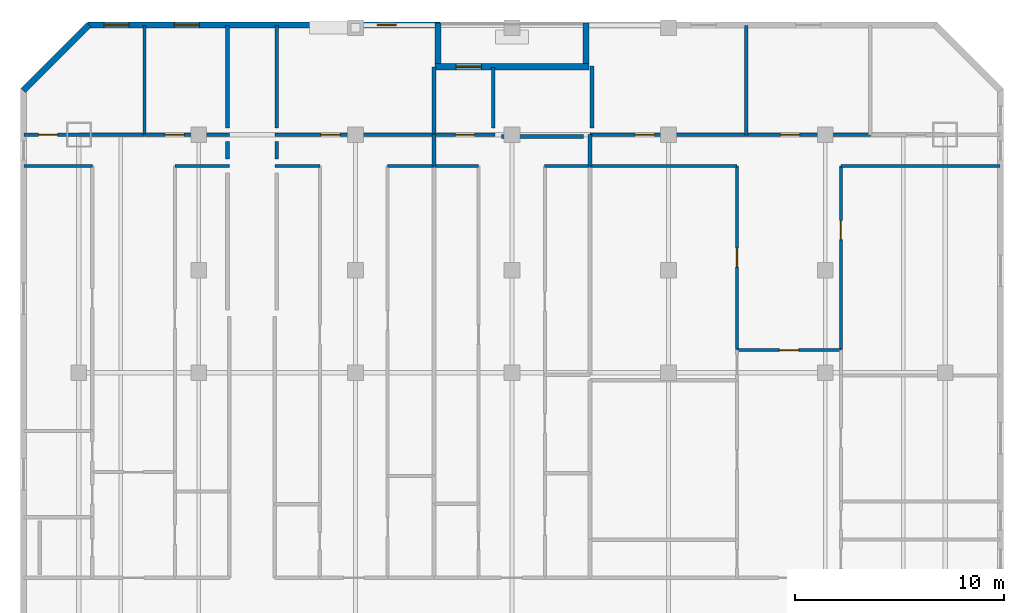
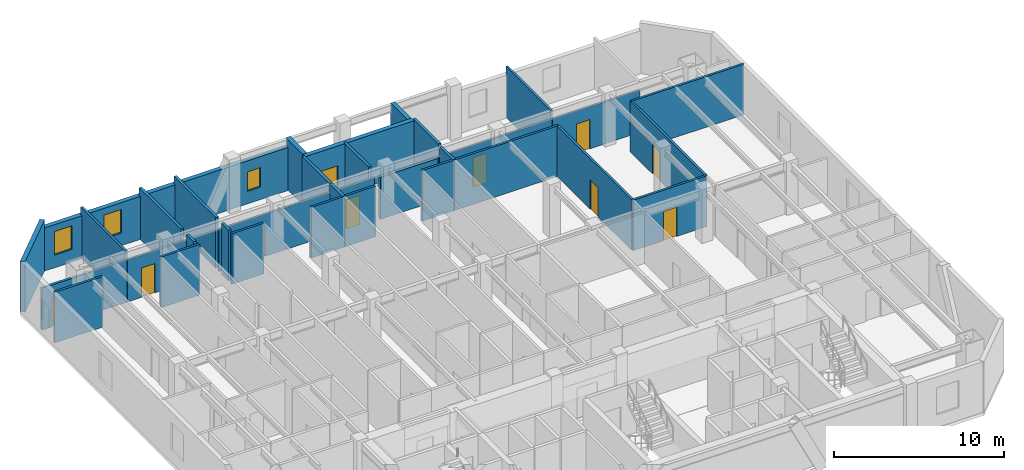
# One storey, part 6 of 8: 34 walls, 10 doors, 3 windows, 13 openings.
"""IFC4 building model written with IfcOpenShell, lengths in metres."""

from ifc_helpers import new_model, si_unit, direction, frame, frame_2d, origin, place, context, subcontext, project, spatial, rectangle, extrude, material, layer, layer_set, type_object, element, fill, save


model = new_model("IFC4")

# Units and contexts
model_context = context("Model", 3, precision=1e-05, world=origin(), true_north=direction((0.0, 1.0)))
body_context = subcontext(model_context, "Body", "Model", "MODEL_VIEW")
ifc_project = project(units=[si_unit("LENGTHUNIT", "METRE"), si_unit("AREAUNIT", "SQUARE_METRE"), si_unit("VOLUMEUNIT", "CUBIC_METRE"), si_unit("PLANEANGLEUNIT", "RADIAN"), si_unit("MASSUNIT", "GRAM", prefix="KILO")], contexts=[model_context])

# Site, building, storey
site_placement = place(None, origin())
site = spatial("IfcSite", under=ifc_project, at=site_placement, CompositionType="ELEMENT")
building_placement = place(site_placement, origin())
building = spatial("IfcBuilding", under=site, at=building_placement, Name="Ventersveld Concourse Tower", CompositionType="ELEMENT")
storey_placement = place(building_placement, frame((0.0, 0.0, 168.300048828125)))
storey = spatial("IfcBuildingStorey", under=building, at=storey_placement, Name="L41", CompositionType="ELEMENT", Elevation=168.300048828125)

# Walls
ifc_material_1 = material(Name="Fire-rated autoclaved aerated masonry blockwork", Category="masonry")
ifc_layer_1 = layer(ifc_material_1, 0.179931640625)
ifc_layer_set_1 = layer_set([ifc_layer_1], Name="Fire-rated autoclaved aerated masonry blockwork")
wall_type_1 = type_object("IfcWallType", Name="WL-CORR-180", PredefinedType="PARTITIONING", material=ifc_layer_set_1)
wall_1_placement = place(storey_placement, frame((15.1201171875, 34.675048828125, 0.0), z_axis=(0.0, 0.0, 1.0), x_axis=(0.0, -1.0, 0.0)))
element("IfcWall", 1, at=wall_1_placement, inside=storey, type_object=wall_type_1, Name="L41 Room Enclosure Wall SP-L41-41NW-LIV", PredefinedType="PARTITIONING", context=body_context, shape_type="SweptSolid", body=[
    extrude(rectangle(XDim=0.85009765625, YDim=0.179931640625, at=frame_2d((0.425048828125, 0.0))), origin(), (0.0, 0.0, 1.0), 3.6298828125),
])
wall_2_placement = place(storey_placement, frame((15.1201171875, 40.2275390625, 0.0), z_axis=(0.0, 0.0, 1.0), x_axis=(0.0, -1.0, 0.0)))
element("IfcWall", 2, at=wall_2_placement, inside=storey, type_object=wall_type_1, Name="L41 Room Enclosure Wall SP-L41-41NW-BR2", PredefinedType="PARTITIONING", context=body_context, shape_type="SweptSolid", body=[
    extrude(rectangle(XDim=4.902587890625, YDim=0.179931640625, at=frame_2d((2.451171875, 0.0))), origin(), (0.0, 0.0, 1.0), 3.6298828125),
])
wall_3_placement = place(storey_placement, frame((17.47998046875, 33.824951171875, 0.0), z_axis=(0.0, 0.0, 1.0), x_axis=(0.0, 1.0, 0.0)))
element("IfcWall", 3, at=wall_3_placement, inside=storey, type_object=wall_type_1, Name="L41 Room Enclosure Wall SP-L41-41CW-LIV", PredefinedType="PARTITIONING", context=body_context, shape_type="SweptSolid", body=[
    extrude(rectangle(XDim=0.85009765625, YDim=0.179931640625, at=frame_2d((0.425048828125, 0.0))), origin(), (0.0, 0.0, 1.0), 3.6298828125),
])
wall_4_placement = place(storey_placement, frame((17.47998046875, 35.324951171875, 0.0), z_axis=(0.0, 0.0, 1.0), x_axis=(0.0, 1.0, 0.0)))
element("IfcWall", 4, at=wall_4_placement, inside=storey, type_object=wall_type_1, Name="L41 Room Enclosure Wall SP-L41-41CW-BR1", PredefinedType="PARTITIONING", context=body_context, shape_type="SweptSolid", body=[
    extrude(rectangle(XDim=4.902587890625, YDim=0.179931640625, at=frame_2d((2.451171875, 0.0))), origin(), (0.0, 0.0, 1.0), 3.6298828125),
])
wall_5_placement = place(storey_placement, frame((32.580078125, 35.324951171875, 0.0), z_axis=(0.0, 0.0, 1.0), x_axis=(0.0, 1.0, 0.0)))
element("IfcWall", 5, at=wall_5_placement, inside=storey, type_object=wall_type_1, Name="L41 Room Enclosure Wall SP-L41-41CE-BR1", PredefinedType="PARTITIONING", context=body_context, shape_type="SweptSolid", body=[
    extrude(rectangle(XDim=2.97802734375, YDim=0.179931640625, at=frame_2d((1.489013671875, 0.0))), origin(), (0.0, 0.0, 1.0), 3.6298828125),
])
wall_6_placement = place(storey_placement, frame((28.257080078125, 34.909912109375, 0.0), z_axis=(0.0, 0.0, 1.0), x_axis=(1.0, 0.0, 0.0)))
element("IfcWall", 6, at=wall_6_placement, inside=storey, type_object=wall_type_1, Name="L41 Room Enclosure Wall SP-L41-41CM-LIV", PredefinedType="PARTITIONING", context=body_context, shape_type="SweptSolid", body=[
    extrude(rectangle(XDim=3.907958984375, YDim=0.179931640625, at=frame_2d((1.9541015625, 0.0))), origin(), (0.0, 0.0, 1.0), 3.0126953125),
])
wall_7_placement = place(storey_placement, frame((27.84716796875, 38.2275390625, 0.0), z_axis=(0.0, 0.0, 1.0), x_axis=(0.0, -1.0, 0.0)))
element("IfcWall", 7, at=wall_7_placement, inside=storey, type_object=wall_type_1, Name="L41 Room Enclosure Wall SP-L41-41CM-BR1", PredefinedType="PARTITIONING", context=body_context, shape_type="SweptSolid", body=[
    extrude(rectangle(XDim=2.902587890625, YDim=0.179931640625, at=frame_2d((1.451171875, 0.0))), origin(), (0.0, 0.0, 1.0), 3.6298828125),
])
ifc_layer_2 = layer(ifc_material_1, 0.199951171875)
ifc_layer_set_2 = layer_set([ifc_layer_2], Name="Fire-rated autoclaved aerated masonry blockwork")
wall_type_2 = type_object("IfcWallType", Name="WL-DEMISE-200", PredefinedType="PARTITIONING", material=ifc_layer_set_2)
wall_8_placement = place(storey_placement, frame((25.010009765625, 33.4951171875, 0.0), z_axis=(0.0, 0.0, 1.0), x_axis=(0.0, 1.0, 0.0)))
element("IfcWall", 8, at=wall_8_placement, inside=storey, type_object=wall_type_2, Name="L41 Interior Partition SP-L41-41CW-LIV-SP-L41-41CM-LIV", PredefinedType="PARTITIONING", context=body_context, shape_type="SweptSolid", body=[
    extrude(rectangle(XDim=1.509765625, YDim=0.199951171875, at=frame_2d((0.7548828125, 0.0))), origin(), (0.0, 0.0, 1.0), 3.6298828125),
])
wall_9_placement = place(storey_placement, frame((25.010009765625, 35.034912109375, 0.0), z_axis=(0.0, 0.0, 1.0), x_axis=(0.0, 1.0, 0.0)))
element("IfcWall", 9, at=wall_9_placement, inside=storey, type_object=wall_type_2, Name="L41 Interior Partition SP-L41-41CW-BR1-SP-L41-41CM-BR1", PredefinedType="PARTITIONING", context=body_context, shape_type="SweptSolid", body=[
    extrude(rectangle(XDim=3.1982421875, YDim=0.199951171875, at=frame_2d((1.59912109375, 0.0))), origin(), (0.0, 0.0, 1.0), 3.6298828125),
])
wall_10_placement = place(storey_placement, frame((32.489990234375, 33.4951171875, 0.0), z_axis=(0.0, 0.0, 1.0), x_axis=(0.0, 1.0, 0.0)))
element("IfcWall", 10, at=wall_10_placement, inside=storey, type_object=wall_type_2, Name="L41 Interior Partition SP-L41-41CE-LIV-SP-L41-41CM-LIV", PredefinedType="PARTITIONING", context=body_context, shape_type="SweptSolid", body=[
    extrude(rectangle(XDim=1.509765625, YDim=0.199951171875, at=frame_2d((0.7548828125, 0.0))), origin(), (0.0, 0.0, 1.0), 3.6298828125),
])
ifc_material_2 = material(Name="Autoclaved aerated masonry blockwork", Category="masonry")
ifc_layer_3 = layer(ifc_material_2, 0.14990234375)
ifc_layer_set_3 = layer_set([ifc_layer_3], Name="Autoclaved aerated masonry blockwork")
wall_type_3 = type_object("IfcWallType", Name="WL-INT-150", PredefinedType="PARTITIONING", material=ifc_layer_set_3)
wall_11_placement = place(storey_placement, frame((5.37255859375, 33.5, 0.0), z_axis=(0.0, 0.0, 1.0), x_axis=(1.0, 0.0, 0.0)))
element("IfcWall", 11, at=wall_11_placement, inside=storey, type_object=wall_type_3, Name="L41 Interior Partition SP-L41-41NW-LIV-SP-L41-41NW-OFFL0", PredefinedType="PARTITIONING", context=body_context, shape_type="SweptSolid", body=[
    extrude(rectangle(XDim=3.2724609375, YDim=0.14990234375, at=frame_2d((1.63623046875, 0.0))), origin(), (0.0, 0.0, 1.0), 3.6298828125),
])
wall_12_placement = place(storey_placement, frame((12.594970703125, 33.5, 0.0), z_axis=(0.0, 0.0, 1.0), x_axis=(1.0, 0.0, 0.0)))
element("IfcWall", 12, at=wall_12_placement, inside=storey, type_object=wall_type_3, Name="L41 Interior Partition SP-L41-41NW-LIV-SP-L41-41NW-OFFR1", PredefinedType="PARTITIONING", context=body_context, shape_type="SweptSolid", body=[
    extrude(rectangle(XDim=2.6201171875, YDim=0.14990234375, at=frame_2d((1.31005859375, 0.0))), origin(), (0.0, 0.0, 1.0), 3.6298828125),
])

# Wall, opening, door
wall_13_placement = place(storey_placement, frame((5.37255859375, 35.0, 0.0), z_axis=(0.0, 0.0, 1.0), x_axis=(1.0, 0.0, 0.0)))
wall_13 = element("IfcWall", 13, at=wall_13_placement, inside=storey, type_object=wall_type_3, Name="L41 Interior Partition SP-L41-41NW-LIV-SP-L41-41NW-BR1", PredefinedType="PARTITIONING", context=body_context, shape_type="SweptSolid", body=[
    extrude(rectangle(XDim=5.771240234375, YDim=0.14990234375, at=frame_2d((2.8857421875, 0.0))), origin(), (0.0, 0.0, 1.0), 3.0126953125),
])
opening_1_placement = place(wall_13_placement, frame((0.6943359375, 0.0, 0.0)))
opening_1 = element("IfcOpeningElement", 14, at=opening_1_placement, cuts=wall_13, Name="Opening ID1", PredefinedType="OPENING", context=body_context, shape_type="SweptSolid", body=[
    extrude(rectangle(XDim=0.919921875, YDim=2.10009765625, at=frame_2d((0.4599609375, 1.050048828125))), frame((0.0, 0.0849609375, 0.0), z_axis=(0.0, -1.0, 0.0), x_axis=(1.0, 0.0, 0.0)), (0.0, 0.0, 1.0), 0.169921875),
])
ifc_material_3 = material(Name="Solid-core hardwood veneer timber", Category="wood")
door_type_1 = type_object("IfcDoorType", Name="DR-ROOM-092", OperationType="NOTDEFINED", PredefinedType="DOOR", material=ifc_material_3)
door_1_placement = place(opening_1_placement, origin())
door_1 = element("IfcDoor", 15, at=door_1_placement, inside=storey, type_object=door_type_1, Name="L41 Interior Door SP-L41-41NW-LIV to SP-L41-41NW-BR1 (D-L41-2013)", OperationType="SINGLE_SWING_LEFT", OverallHeight=2.10009765625, OverallWidth=0.919921875, PredefinedType="DOOR", context=body_context, shape_type="SweptSolid", body=[
    extrude(rectangle(XDim=0.919921875, YDim=2.10009765625, at=frame_2d((0.4599609375, 1.050048828125))), frame((0.0, 0.02490234375, 0.0), z_axis=(0.0, -1.0, 0.0), x_axis=(1.0, 0.0, 0.0)), (0.0, 0.0, 1.0), 0.050048828125),
])
fill(opening_1, door_1)

wall_14_placement = place(storey_placement, frame((11.173828125, 35.0, 0.0), z_axis=(0.0, 0.0, 1.0), x_axis=(1.0, 0.0, 0.0)))
wall_14 = element("IfcWall", 16, at=wall_14_placement, inside=storey, type_object=wall_type_3, Name="L41 Interior Partition SP-L41-41NW-LIV-SP-L41-41NW-BR2", PredefinedType="PARTITIONING", context=body_context, shape_type="SweptSolid", body=[
    extrude(rectangle(XDim=4.041259765625, YDim=0.14990234375, at=frame_2d((2.0205078125, 0.0))), origin(), (0.0, 0.0, 1.0), 3.0126953125),
])
opening_2_placement = place(wall_14_placement, frame((0.954345703125, 0.0, 0.0)))
opening_2 = element("IfcOpeningElement", 17, at=opening_2_placement, cuts=wall_14, Name="Opening ID1", PredefinedType="OPENING", context=body_context, shape_type="SweptSolid", body=[
    extrude(rectangle(XDim=0.919921875, YDim=2.10009765625, at=frame_2d((0.4599609375, 1.050048828125))), frame((0.0, 0.0849609375, 0.0), z_axis=(0.0, -1.0, 0.0), x_axis=(1.0, 0.0, 0.0)), (0.0, 0.0, 1.0), 0.169921875),
])
door_2_placement = place(opening_2_placement, origin())
door_2 = element("IfcDoor", 18, at=door_2_placement, inside=storey, type_object=door_type_1, Name="L41 Interior Door SP-L41-41NW-LIV to SP-L41-41NW-BR2 (D-L41-2014)", OperationType="SINGLE_SWING_RIGHT", OverallHeight=2.10009765625, OverallWidth=0.919921875, PredefinedType="DOOR", context=body_context, shape_type="SweptSolid", body=[
    extrude(rectangle(XDim=0.919921875, YDim=2.10009765625, at=frame_2d((0.4599609375, 1.050048828125))), frame((0.0, 0.02490234375, 0.0), z_axis=(0.0, -1.0, 0.0), x_axis=(1.0, 0.0, 0.0)), (0.0, 0.0, 1.0), 0.050048828125),
])
fill(opening_2, door_2)

# Walls
wall_15_placement = place(storey_placement, frame((11.138916015625, 34.9951171875, 0.0), z_axis=(0.0, 0.0, 1.0), x_axis=(0.0, 1.0, 0.0)))
element("IfcWall", 19, at=wall_15_placement, inside=storey, type_object=wall_type_3, Name="L41 Interior Partition SP-L41-41NW-BR1-SP-L41-41NW-BR2", PredefinedType="PARTITIONING", context=body_context, shape_type="SweptSolid", body=[
    extrude(rectangle(XDim=5.232421875, YDim=0.14990234375, at=frame_2d((2.6162109375, 0.0))), origin(), (0.0, 0.0, 1.0), 3.6298828125),
])
wall_16_placement = place(storey_placement, frame((17.385009765625, 33.5, 0.0), z_axis=(0.0, 0.0, 1.0), x_axis=(1.0, 0.0, 0.0)))
element("IfcWall", 20, at=wall_16_placement, inside=storey, type_object=wall_type_3, Name="L41 Interior Partition SP-L41-41CW-LIV-SP-L41-41CW-OFFL0", PredefinedType="PARTITIONING", context=body_context, shape_type="SweptSolid", body=[
    extrude(rectangle(XDim=2.167724609375, YDim=0.14990234375, at=frame_2d((1.083984375, 0.0))), origin(), (0.0, 0.0, 1.0), 3.6298828125),
])
wall_17_placement = place(storey_placement, frame((22.78515625, 33.5, 0.0), z_axis=(0.0, 0.0, 1.0), x_axis=(1.0, 0.0, 0.0)))
element("IfcWall", 21, at=wall_17_placement, inside=storey, type_object=wall_type_3, Name="L41 Interior Partition SP-L41-41CW-LIV-SP-L41-41CW-OFFR1", PredefinedType="PARTITIONING", context=body_context, shape_type="SweptSolid", body=[
    extrude(rectangle(XDim=2.229736328125, YDim=0.14990234375, at=frame_2d((1.11474609375, 0.0))), origin(), (0.0, 0.0, 1.0), 3.6298828125),
])

# Wall, opening, door
wall_18_placement = place(storey_placement, frame((17.385009765625, 35.0, 0.0), z_axis=(0.0, 0.0, 1.0), x_axis=(1.0, 0.0, 0.0)))
wall_18 = element("IfcWall", 22, at=wall_18_placement, inside=storey, type_object=wall_type_3, Name="L41 Interior Partition SP-L41-41CW-LIV-SP-L41-41CW-BR1", PredefinedType="PARTITIONING", context=body_context, shape_type="SweptSolid", body=[
    extrude(rectangle(XDim=7.6298828125, YDim=0.14990234375, at=frame_2d((3.81494140625, 0.0))), origin(), (0.0, 0.0, 1.0), 3.0126953125),
])
opening_3_placement = place(wall_18_placement, frame((2.21044921875, 0.0, 0.0)))
opening_3 = element("IfcOpeningElement", 23, at=opening_3_placement, cuts=wall_18, Name="Opening ID1", PredefinedType="OPENING", context=body_context, shape_type="SweptSolid", body=[
    extrude(rectangle(XDim=0.919921875, YDim=2.10009765625, at=frame_2d((0.4599609375, 1.050048828125))), frame((0.0, 0.0849609375, 0.0), z_axis=(0.0, -1.0, 0.0), x_axis=(1.0, 0.0, 0.0)), (0.0, 0.0, 1.0), 0.169921875),
])
door_3_placement = place(opening_3_placement, origin())
door_3 = element("IfcDoor", 24, at=door_3_placement, inside=storey, type_object=door_type_1, Name="L41 Interior Door SP-L41-41CW-LIV to SP-L41-41CW-BR1 (D-L41-2019)", OperationType="SINGLE_SWING_LEFT", OverallHeight=2.10009765625, OverallWidth=0.919921875, PredefinedType="DOOR", context=body_context, shape_type="SweptSolid", body=[
    extrude(rectangle(XDim=0.919921875, YDim=2.10009765625, at=frame_2d((0.4599609375, 1.050048828125))), frame((0.0, 0.02490234375, 0.0), z_axis=(0.0, -1.0, 0.0), x_axis=(1.0, 0.0, 0.0)), (0.0, 0.0, 1.0), 0.050048828125),
])
fill(opening_3, door_3)

wall_19_placement = place(storey_placement, frame((39.524169921875, 24.683349609375, 0.0), z_axis=(0.0, 0.0, 1.0), x_axis=(1.0, 0.0, 0.0)))
wall_19 = element("IfcWall", 25, at=wall_19_placement, inside=storey, type_object=wall_type_3, Name="L41 Interior Partition SP-L41-41CE-FOY-SP-L41-41CE-LIV", PredefinedType="PARTITIONING", context=body_context, shape_type="SweptSolid", body=[
    extrude(rectangle(XDim=4.989990234375, YDim=0.14990234375, at=frame_2d((2.4951171875, 0.0))), origin(), (0.0, 0.0, 1.0), 3.6298828125),
])
opening_4_placement = place(wall_19_placement, frame((2.034912109375, 0.0, 0.0)))
opening_4 = element("IfcOpeningElement", 26, at=opening_4_placement, cuts=wall_19, Name="Opening ID1", PredefinedType="OPENING", context=body_context, shape_type="SweptSolid", body=[
    extrude(rectangle(XDim=0.919921875, YDim=2.10009765625, at=frame_2d((0.4599609375, 1.050048828125))), frame((0.0, 0.0849609375, 0.0), z_axis=(0.0, -1.0, 0.0), x_axis=(1.0, 0.0, 0.0)), (0.0, 0.0, 1.0), 0.169921875),
])
door_4_placement = place(opening_4_placement, origin())
door_4 = element("IfcDoor", 27, at=door_4_placement, inside=storey, type_object=door_type_1, Name="L41 Interior Door SP-L41-41CE-FOY to SP-L41-41CE-LIV (D-L41-2020)", OperationType="SINGLE_SWING_RIGHT", OverallHeight=2.10009765625, OverallWidth=0.919921875, PredefinedType="DOOR", context=body_context, shape_type="SweptSolid", body=[
    extrude(rectangle(XDim=0.919921875, YDim=2.10009765625, at=frame_2d((0.4599609375, 1.050048828125))), frame((0.0, 0.02490234375, 0.0), z_axis=(0.0, -1.0, 0.0), x_axis=(1.0, 0.0, 0.0)), (0.0, 0.0, 1.0), 0.050048828125),
])
fill(opening_4, door_4)

wall_20_placement = place(storey_placement, frame((39.529052734375, 24.71826171875, 0.0), z_axis=(0.0, 0.0, 1.0), x_axis=(0.0, 1.0, 0.0)))
wall_20 = element("IfcWall", 28, at=wall_20_placement, inside=storey, type_object=wall_type_3, Name="L41 Interior Partition SP-L41-41CE-LIV-SP-L41-41CE-DENL2", PredefinedType="PARTITIONING", context=body_context, shape_type="SweptSolid", body=[
    extrude(rectangle(XDim=8.78662109375, YDim=0.14990234375, at=frame_2d((4.393310546875, 0.0))), origin(), (0.0, 0.0, 1.0), 3.6298828125),
])
opening_5_placement = place(wall_20_placement, frame((3.933349609375, 0.0, 0.0)))
opening_5 = element("IfcOpeningElement", 29, at=opening_5_placement, cuts=wall_20, Name="Opening ID1", PredefinedType="OPENING", context=body_context, shape_type="SweptSolid", body=[
    extrude(rectangle(XDim=0.919921875, YDim=2.10009765625, at=frame_2d((0.4599609375, 1.050048828125))), frame((0.0, 0.0849609375, 0.0), z_axis=(0.0, -1.0, 0.0), x_axis=(1.0, 0.0, 0.0)), (0.0, 0.0, 1.0), 0.169921875),
])
door_5_placement = place(opening_5_placement, origin())
door_5 = element("IfcDoor", 30, at=door_5_placement, inside=storey, type_object=door_type_1, Name="L41 Interior Door SP-L41-41CE-LIV to SP-L41-41CE-DENL2 (D-L41-2028)", OperationType="SINGLE_SWING_RIGHT", OverallHeight=2.10009765625, OverallWidth=0.919921875, PredefinedType="DOOR", context=body_context, shape_type="SweptSolid", body=[
    extrude(rectangle(XDim=0.919921875, YDim=2.10009765625, at=frame_2d((0.4599609375, 1.050048828125))), frame((0.0, 0.02490234375, 0.0), z_axis=(0.0, -1.0, 0.0), x_axis=(1.0, 0.0, 0.0)), (0.0, 0.0, 1.0), 0.050048828125),
])
fill(opening_5, door_5)

# Wall
wall_21_placement = place(storey_placement, frame((32.485107421875, 33.5, 0.0), z_axis=(0.0, 0.0, 1.0), x_axis=(1.0, 0.0, 0.0)))
element("IfcWall", 31, at=wall_21_placement, inside=storey, type_object=wall_type_3, Name="L41 Interior Partition SP-L41-41CE-LIV-SP-L41-41CE-DENL2", PredefinedType="PARTITIONING", context=body_context, shape_type="SweptSolid", body=[
    extrude(rectangle(XDim=7.049072265625, YDim=0.14990234375, at=frame_2d((3.5244140625, 0.0))), origin(), (0.0, 0.0, 1.0), 3.6298828125),
])

# Wall, opening, door
wall_22_placement = place(storey_placement, frame((44.509033203125, 24.71826171875, 0.0), z_axis=(0.0, 0.0, 1.0), x_axis=(0.0, 1.0, 0.0)))
wall_22 = element("IfcWall", 32, at=wall_22_placement, inside=storey, type_object=wall_type_3, Name="L41 Interior Partition SP-L41-41CE-LIV-SP-L41-41CE-DENS2", PredefinedType="PARTITIONING", context=body_context, shape_type="SweptSolid", body=[
    extrude(rectangle(XDim=8.78662109375, YDim=0.14990234375, at=frame_2d((4.393310546875, 0.0))), origin(), (0.0, 0.0, 1.0), 3.6298828125),
])
opening_6_placement = place(wall_22_placement, frame((5.25146484375, 0.0, 0.0)))
opening_6 = element("IfcOpeningElement", 33, at=opening_6_placement, cuts=wall_22, Name="Opening ID1", PredefinedType="OPENING", context=body_context, shape_type="SweptSolid", body=[
    extrude(rectangle(XDim=0.919921875, YDim=2.10009765625, at=frame_2d((0.4599609375, 1.050048828125))), frame((0.0, 0.0849609375, 0.0), z_axis=(0.0, -1.0, 0.0), x_axis=(1.0, 0.0, 0.0)), (0.0, 0.0, 1.0), 0.169921875),
])
door_6_placement = place(opening_6_placement, origin())
door_6 = element("IfcDoor", 34, at=door_6_placement, inside=storey, type_object=door_type_1, Name="L41 Interior Door SP-L41-41CE-LIV to SP-L41-41CE-DENS2 (D-L41-2029)", OperationType="SINGLE_SWING_LEFT", OverallHeight=2.10009765625, OverallWidth=0.919921875, PredefinedType="DOOR", context=body_context, shape_type="SweptSolid", body=[
    extrude(rectangle(XDim=0.919921875, YDim=2.10009765625, at=frame_2d((0.4599609375, 1.050048828125))), frame((0.0, 0.02490234375, 0.0), z_axis=(0.0, -1.0, 0.0), x_axis=(1.0, 0.0, 0.0)), (0.0, 0.0, 1.0), 0.050048828125),
])
fill(opening_6, door_6)

# Wall
wall_23_placement = place(storey_placement, frame((44.504150390625, 33.5, 0.0), z_axis=(0.0, 0.0, 1.0), x_axis=(1.0, 0.0, 0.0)))
element("IfcWall", 35, at=wall_23_placement, inside=storey, type_object=wall_type_3, Name="L41 Interior Partition SP-L41-41CE-LIV-SP-L41-41CE-DENS2", PredefinedType="PARTITIONING", context=body_context, shape_type="SweptSolid", body=[
    extrude(rectangle(XDim=7.623291015625, YDim=0.14990234375, at=frame_2d((3.8115234375, 0.0))), origin(), (0.0, 0.0, 1.0), 3.6298828125),
])

# Wall, opening, door
wall_24_placement = place(storey_placement, frame((32.485107421875, 35.0, 0.0), z_axis=(0.0, 0.0, 1.0), x_axis=(1.0, 0.0, 0.0)))
wall_24 = element("IfcWall", 36, at=wall_24_placement, inside=storey, type_object=wall_type_3, Name="L41 Interior Partition SP-L41-41CE-LIV-SP-L41-41CE-BR1", PredefinedType="PARTITIONING", context=body_context, shape_type="SweptSolid", body=[
    extrude(rectangle(XDim=7.489013671875, YDim=0.14990234375, at=frame_2d((3.74462890625, 0.0))), origin(), (0.0, 0.0, 1.0), 3.0126953125),
])
opening_7_placement = place(wall_24_placement, frame((2.1611328125, 0.0, 0.0)))
opening_7 = element("IfcOpeningElement", 37, at=opening_7_placement, cuts=wall_24, Name="Opening ID1", PredefinedType="OPENING", context=body_context, shape_type="SweptSolid", body=[
    extrude(rectangle(XDim=0.919921875, YDim=2.10009765625, at=frame_2d((0.4599609375, 1.050048828125))), frame((0.0, 0.0849609375, 0.0), z_axis=(0.0, -1.0, 0.0), x_axis=(1.0, 0.0, 0.0)), (0.0, 0.0, 1.0), 0.169921875),
])
door_7_placement = place(opening_7_placement, origin())
door_7 = element("IfcDoor", 38, at=door_7_placement, inside=storey, type_object=door_type_1, Name="L41 Interior Door SP-L41-41CE-LIV to SP-L41-41CE-BR1 (D-L41-2030)", OperationType="SINGLE_SWING_RIGHT", OverallHeight=2.10009765625, OverallWidth=0.919921875, PredefinedType="DOOR", context=body_context, shape_type="SweptSolid", body=[
    extrude(rectangle(XDim=0.919921875, YDim=2.10009765625, at=frame_2d((0.4599609375, 1.050048828125))), frame((0.0, 0.02490234375, 0.0), z_axis=(0.0, -1.0, 0.0), x_axis=(1.0, 0.0, 0.0)), (0.0, 0.0, 1.0), 0.050048828125),
])
fill(opening_7, door_7)

wall_25_placement = place(storey_placement, frame((40.004150390625, 35.0, 0.0), z_axis=(0.0, 0.0, 1.0), x_axis=(1.0, 0.0, 0.0)))
wall_25 = element("IfcWall", 39, at=wall_25_placement, inside=storey, type_object=wall_type_3, Name="L41 Interior Partition SP-L41-41CE-LIV-SP-L41-41CE-BR2", PredefinedType="PARTITIONING", context=body_context, shape_type="SweptSolid", body=[
    extrude(rectangle(XDim=5.91259765625, YDim=0.14990234375, at=frame_2d((2.956298828125, 0.0))), origin(), (0.0, 0.0, 1.0), 3.0126953125),
])
opening_8_placement = place(wall_25_placement, frame((1.609375, 0.0, 0.0)))
opening_8 = element("IfcOpeningElement", 40, at=opening_8_placement, cuts=wall_25, Name="Opening ID1", PredefinedType="OPENING", context=body_context, shape_type="SweptSolid", body=[
    extrude(rectangle(XDim=0.919921875, YDim=2.10009765625, at=frame_2d((0.4599609375, 1.050048828125))), frame((0.0, 0.0849609375, 0.0), z_axis=(0.0, -1.0, 0.0), x_axis=(1.0, 0.0, 0.0)), (0.0, 0.0, 1.0), 0.169921875),
])
door_8_placement = place(opening_8_placement, origin())
door_8 = element("IfcDoor", 41, at=door_8_placement, inside=storey, type_object=door_type_1, Name="L41 Interior Door SP-L41-41CE-LIV to SP-L41-41CE-BR2 (D-L41-2031)", OperationType="SINGLE_SWING_LEFT", OverallHeight=2.10009765625, OverallWidth=0.919921875, PredefinedType="DOOR", context=body_context, shape_type="SweptSolid", body=[
    extrude(rectangle(XDim=0.919921875, YDim=2.10009765625, at=frame_2d((0.4599609375, 1.050048828125))), frame((0.0, 0.02490234375, 0.0), z_axis=(0.0, -1.0, 0.0), x_axis=(1.0, 0.0, 0.0)), (0.0, 0.0, 1.0), 0.050048828125),
])
fill(opening_8, door_8)

# Walls
wall_26_placement = place(storey_placement, frame((39.96923828125, 34.9951171875, 0.0), z_axis=(0.0, 0.0, 1.0), x_axis=(0.0, 1.0, 0.0)))
element("IfcWall", 42, at=wall_26_placement, inside=storey, type_object=wall_type_3, Name="L41 Interior Partition SP-L41-41CE-BR1-SP-L41-41CE-BR2", PredefinedType="PARTITIONING", context=body_context, shape_type="SweptSolid", body=[
    extrude(rectangle(XDim=5.232421875, YDim=0.14990234375, at=frame_2d((2.6162109375, 0.0))), origin(), (0.0, 0.0, 1.0), 3.6298828125),
])
wall_27_placement = place(storey_placement, frame((25.044921875, 33.5, 0.0), z_axis=(0.0, 0.0, 1.0), x_axis=(1.0, 0.0, 0.0)))
element("IfcWall", 43, at=wall_27_placement, inside=storey, type_object=wall_type_3, Name="L41 Interior Partition SP-L41-41CM-LIV-SP-L41-41CM-OFFL0", PredefinedType="PARTITIONING", context=body_context, shape_type="SweptSolid", body=[
    extrude(rectangle(XDim=2.10595703125, YDim=0.14990234375, at=frame_2d((1.052978515625, 0.0))), origin(), (0.0, 0.0, 1.0), 3.6298828125),
])
wall_28_placement = place(storey_placement, frame((30.31884765625, 33.5, 0.0), z_axis=(0.0, 0.0, 1.0), x_axis=(1.0, 0.0, 0.0)))
element("IfcWall", 44, at=wall_28_placement, inside=storey, type_object=wall_type_3, Name="L41 Interior Partition SP-L41-41CM-LIV-SP-L41-41CM-DENR", PredefinedType="PARTITIONING", context=body_context, shape_type="SweptSolid", body=[
    extrude(rectangle(XDim=2.13623046875, YDim=0.14990234375, at=frame_2d((1.068115234375, 0.0))), origin(), (0.0, 0.0, 1.0), 3.6298828125),
])

# Wall, opening, door
wall_29_placement = place(storey_placement, frame((25.044921875, 35.0, 0.0), z_axis=(0.0, 0.0, 1.0), x_axis=(1.0, 0.0, 0.0)))
wall_29 = element("IfcWall", 45, at=wall_29_placement, inside=storey, type_object=wall_type_3, Name="L41 Interior Partition SP-L41-41CM-LIV-SP-L41-41CM-BR1", PredefinedType="PARTITIONING", context=body_context, shape_type="SweptSolid", body=[
    extrude(rectangle(XDim=2.897216796875, YDim=0.14990234375, at=frame_2d((1.44873046875, 0.0))), origin(), (0.0, 0.0, 1.0), 3.0126953125),
])
opening_9_placement = place(wall_29_placement, frame((0.988525390625, 0.0, 0.0)))
opening_9 = element("IfcOpeningElement", 46, at=opening_9_placement, cuts=wall_29, Name="Opening ID1", PredefinedType="OPENING", context=body_context, shape_type="SweptSolid", body=[
    extrude(rectangle(XDim=0.919921875, YDim=2.10009765625, at=frame_2d((0.4599609375, 1.050048828125))), frame((0.0, 0.0849609375, 0.0), z_axis=(0.0, -1.0, 0.0), x_axis=(1.0, 0.0, 0.0)), (0.0, 0.0, 1.0), 0.169921875),
])
door_9_placement = place(opening_9_placement, origin())
door_9 = element("IfcDoor", 47, at=door_9_placement, inside=storey, type_object=door_type_1, Name="L41 Interior Door SP-L41-41CM-LIV to SP-L41-41CM-BR1 (D-L41-2038)", OperationType="SINGLE_SWING_RIGHT", OverallHeight=2.10009765625, OverallWidth=0.919921875, PredefinedType="DOOR", context=body_context, shape_type="SweptSolid", body=[
    extrude(rectangle(XDim=0.919921875, YDim=2.10009765625, at=frame_2d((0.4599609375, 1.050048828125))), frame((0.0, 0.02490234375, 0.0), z_axis=(0.0, -1.0, 0.0), x_axis=(1.0, 0.0, 0.0)), (0.0, 0.0, 1.0), 0.050048828125),
])
fill(opening_9, door_9)

# Wall
ifc_material_4 = material(Name="Precast concrete C45/55", Category="concrete")
ifc_layer_4 = layer(ifc_material_4, 0.300048828125)
ifc_layer_set_4 = layer_set([ifc_layer_4], Name="Precast concrete C45/55")
wall_type_4 = type_object("IfcWallType", Name="WL-PREC-300", PredefinedType="SOLIDWALL", material=ifc_layer_set_4)
wall_30_placement = place(storey_placement, frame((32.300048828125, 40.360107421875, 0.0), z_axis=(0.0, 0.0, 1.0), x_axis=(0.0, -1.0, 0.0)))
element("IfcWall", 48, at=wall_30_placement, inside=storey, type_object=wall_type_4, Name="L41 Highveld Precast Facade Wall E06", PredefinedType="SOLIDWALL", context=body_context, shape_type="SweptSolid", body=[
    extrude(rectangle(XDim=1.960205078125, YDim=0.300048828125, at=frame_2d((0.97998046875, 0.0))), origin(), (0.0, 0.0, 1.0), 3.6298828125),
])

# Wall, opening, door
wall_31_placement = place(storey_placement, frame((32.449951171875, 38.25, 0.0), z_axis=(0.0, 0.0, 1.0), x_axis=(-1.0, 0.0, 0.0)))
wall_31 = element("IfcWall", 49, at=wall_31_placement, inside=storey, type_object=wall_type_4, Name="L41 Highveld Precast Facade Wall E07", PredefinedType="SOLIDWALL", context=body_context, shape_type="SweptSolid", body=[
    extrude(rectangle(XDim=7.39990234375, YDim=0.300048828125, at=frame_2d((3.699951171875, 0.0))), origin(), (0.0, 0.0, 1.0), 3.6298828125),
])
opening_10_placement = place(wall_31_placement, frame((5.172119140625, 0.0, 0.0)))
opening_10 = element("IfcOpeningElement", 50, at=opening_10_placement, cuts=wall_31, Name="Opening TD1", PredefinedType="OPENING", context=body_context, shape_type="SweptSolid", body=[
    extrude(rectangle(XDim=1.199951171875, YDim=2.199951171875, at=frame_2d((0.60009765625, 1.10009765625))), frame((0.0, 0.16015625, 0.0), z_axis=(0.0, -1.0, 0.0), x_axis=(1.0, 0.0, 0.0)), (0.0, 0.0, 1.0), 0.320068359375),
])
ifc_material_5 = material(Name="Anodised aluminium EN AW-6063-T6", Category="aluminium")
door_type_2 = type_object("IfcDoorType", Name="DR-TERR-120", OperationType="NOTDEFINED", PredefinedType="DOOR", material=ifc_material_5)
door_10_placement = place(opening_10_placement, frame((1.199951171875, 0.0, 0.0), z_axis=(0.0, 0.0, 1.0), x_axis=(-1.0, 0.0, 0.0)))
door_10 = element("IfcDoor", 51, at=door_10_placement, inside=storey, type_object=door_type_2, Name="L41 Stepped Valley Terrace Door TD-L41-01", OperationType="SINGLE_SWING_RIGHT", OverallHeight=2.199951171875, OverallWidth=1.199951171875, PredefinedType="DOOR", context=body_context, shape_type="SweptSolid", body=[
    extrude(rectangle(XDim=1.199951171875, YDim=2.199951171875, at=frame_2d((0.60009765625, 1.10009765625))), frame((0.0, 0.02490234375, 0.0), z_axis=(0.0, -1.0, 0.0), x_axis=(1.0, 0.0, 0.0)), (0.0, 0.0, 1.0), 0.050048828125),
])
fill(opening_10, door_10)

# Wall
wall_32_placement = place(storey_placement, frame((25.199951171875, 38.39990234375, 0.0), z_axis=(0.0, 0.0, 1.0), x_axis=(0.0, 1.0, 0.0)))
element("IfcWall", 52, at=wall_32_placement, inside=storey, type_object=wall_type_4, Name="L41 Highveld Precast Facade Wall E08", PredefinedType="SOLIDWALL", context=body_context, shape_type="SweptSolid", body=[
    extrude(rectangle(XDim=1.960205078125, YDim=0.300048828125, at=frame_2d((0.97998046875, 0.0))), origin(), (0.0, 0.0, 1.0), 3.6298828125),
])

# Wall, openings, windows
wall_33_placement = place(storey_placement, frame((25.31005859375, 40.25, 0.0), z_axis=(0.0, 0.0, 1.0), x_axis=(-1.0, 0.0, 0.0)))
wall_33 = element("IfcWall", 53, at=wall_33_placement, inside=storey, type_object=wall_type_4, Name="L41 Highveld Precast Facade Wall E09", PredefinedType="SOLIDWALL", context=body_context, shape_type="SweptSolid", body=[
    extrude(rectangle(XDim=16.8701171875, YDim=0.300048828125, at=frame_2d((8.43505859375, 0.0))), origin(), (0.0, 0.0, 1.0), 3.08544921875),
])
opening_11_placement = place(wall_33_placement, frame((14.89990234375, 0.0, 0.89990234375)))
opening_11 = element("IfcOpeningElement", 54, at=opening_11_placement, cuts=wall_33, Name="Opening W3", PredefinedType="OPENING", context=body_context, shape_type="SweptSolid", body=[
    extrude(rectangle(XDim=1.199951171875, YDim=1.699951171875, at=frame_2d((0.60009765625, 0.85009765625))), frame((0.0, 0.16015625, 0.0), z_axis=(0.0, -1.0, 0.0), x_axis=(1.0, 0.0, 0.0)), (0.0, 0.0, 1.0), 0.320068359375),
])
opening_12_placement = place(wall_33_placement, frame((11.53564453125, 0.0, 0.89990234375)))
opening_12 = element("IfcOpeningElement", 55, at=opening_12_placement, cuts=wall_33, Name="Opening W3", PredefinedType="OPENING", context=body_context, shape_type="SweptSolid", body=[
    extrude(rectangle(XDim=1.199951171875, YDim=1.699951171875, at=frame_2d((0.60009765625, 0.85009765625))), frame((0.0, 0.16015625, 0.0), z_axis=(0.0, -1.0, 0.0), x_axis=(1.0, 0.0, 0.0)), (0.0, 0.0, 1.0), 0.320068359375),
])
opening_13_placement = place(wall_33_placement, frame((2.114013671875, 0.0, 0.89990234375)))
opening_13 = element("IfcOpeningElement", 56, at=opening_13_placement, cuts=wall_33, Name="Opening W8", PredefinedType="OPENING", context=body_context, shape_type="SweptSolid", body=[
    extrude(rectangle(XDim=0.89990234375, YDim=1.39990234375, at=frame_2d((0.449951171875, 0.699951171875))), frame((0.0, 0.16015625, 0.0), z_axis=(0.0, -1.0, 0.0), x_axis=(1.0, 0.0, 0.0)), (0.0, 0.0, 1.0), 0.320068359375),
])
ifc_material_6 = material(Name="Tempered acoustic Low-E IGU", Category="glass")
window_type_1 = type_object("IfcWindowType", Name="WIN-090x140", PartitioningType="SINGLE_PANEL", PredefinedType="WINDOW", material=ifc_material_6)
window_1_placement = place(opening_13_placement, origin())
window_1 = element("IfcWindow", 57, at=window_1_placement, inside=storey, type_object=window_type_1, Name="L41 Punched Low-E Window W-0554", OverallHeight=1.39990234375, OverallWidth=0.89990234375, PartitioningType="SINGLE_PANEL", PredefinedType="WINDOW", context=body_context, shape_type="SweptSolid", body=[
    extrude(rectangle(XDim=0.89990234375, YDim=1.39990234375, at=frame_2d((0.449951171875, 0.699951171875))), frame((0.0, 0.030029296875, 0.0), z_axis=(0.0, -1.0, 0.0), x_axis=(1.0, 0.0, 0.0)), (0.0, 0.0, 1.0), 0.06005859375),
])
fill(opening_13, window_1)
window_type_2 = type_object("IfcWindowType", Name="WIN-120x180", PartitioningType="SINGLE_PANEL", PredefinedType="WINDOW", material=ifc_material_6)
window_2_placement = place(opening_11_placement, origin())
window_2 = element("IfcWindow", 58, at=window_2_placement, inside=storey, type_object=window_type_2, Name="L41 Punched Low-E Window W-0552", OverallHeight=1.699951171875, OverallWidth=1.199951171875, PartitioningType="SINGLE_PANEL", PredefinedType="WINDOW", context=body_context, shape_type="SweptSolid", body=[
    extrude(rectangle(XDim=1.199951171875, YDim=1.699951171875, at=frame_2d((0.60009765625, 0.85009765625))), frame((0.0, 0.030029296875, 0.0), z_axis=(0.0, -1.0, 0.0), x_axis=(1.0, 0.0, 0.0)), (0.0, 0.0, 1.0), 0.06005859375),
])
fill(opening_11, window_2)
window_3_placement = place(opening_12_placement, origin())
window_3 = element("IfcWindow", 59, at=window_3_placement, inside=storey, type_object=window_type_2, Name="L41 Punched Low-E Window W-0553", OverallHeight=1.699951171875, OverallWidth=1.199951171875, PartitioningType="SINGLE_PANEL", PredefinedType="WINDOW", context=body_context, shape_type="SweptSolid", body=[
    extrude(rectangle(XDim=1.199951171875, YDim=1.699951171875, at=frame_2d((0.60009765625, 0.85009765625))), frame((0.0, 0.030029296875, 0.0), z_axis=(0.0, -1.0, 0.0), x_axis=(1.0, 0.0, 0.0)), (0.0, 0.0, 1.0), 0.06005859375),
])
fill(opening_12, window_3)

# Wall
wall_34_placement = place(storey_placement, frame((8.477783203125, 40.265625, 0.0), z_axis=(0.0, 0.0, 1.0), x_axis=(-0.707106781187, -0.707106781187, 0.0)))
element("IfcWall", 60, at=wall_34_placement, inside=storey, type_object=wall_type_4, Name="L41 Highveld Precast Facade Wall E10", PredefinedType="SOLIDWALL", context=body_context, shape_type="SweptSolid", body=[
    extrude(rectangle(XDim=4.4453125, YDim=0.300048828125, at=frame_2d((2.22265625, 0.0))), origin(), (0.0, 0.0, 1.0), 3.6298828125),
])

save(model, "model.ifc")
